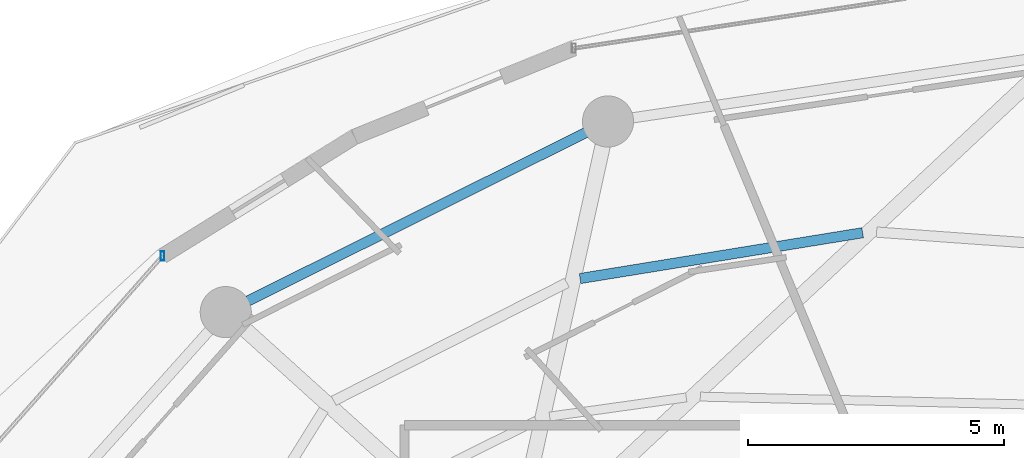
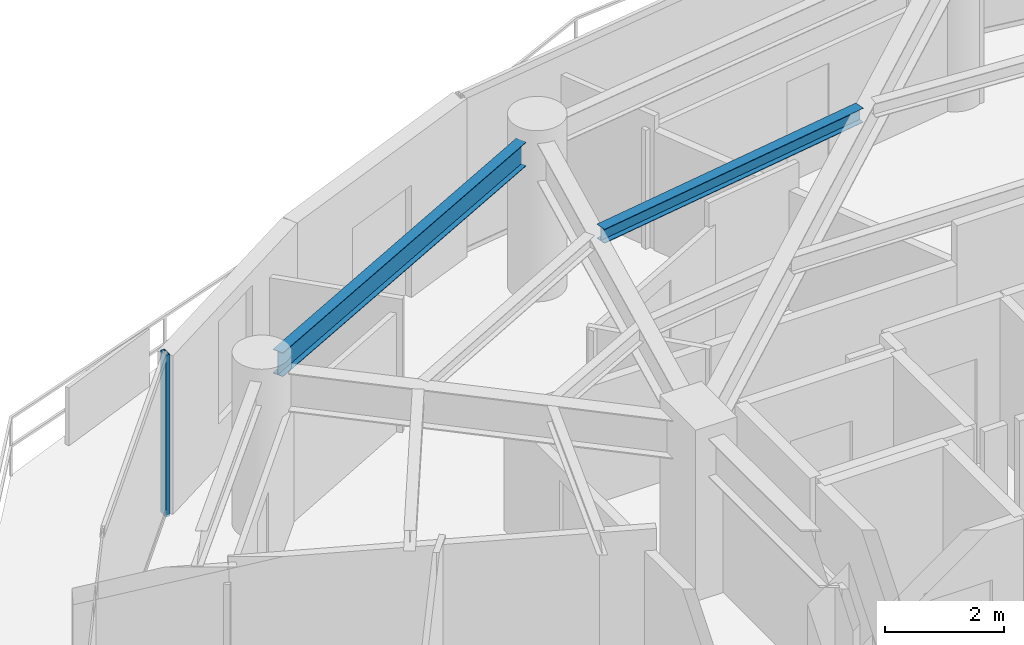
# One storey, part 16 of 29: 2 beams, 1 member, 1 element without a shape of its own.
"""IFC4 building model written with IfcOpenShell, lengths in metres."""

from ifc_helpers import new_model, si_unit, direction, frame, origin, origin_2d, place, context, subcontext, project, spatial, hollow_rectangle, i_section, extrude, material, material_profile, profile_set, type_object, element, aggregate, save


model = new_model("IFC4")

# Units and contexts
model_context = context("Model", 3, precision=1e-05, world=origin(), true_north=direction((0.0, 1.0)))
body_context = subcontext(model_context, "Body", "Model", "MODEL_VIEW")
ifc_project = project(units=[si_unit("LENGTHUNIT", "METRE"), si_unit("AREAUNIT", "SQUARE_METRE"), si_unit("VOLUMEUNIT", "CUBIC_METRE"), si_unit("PLANEANGLEUNIT", "RADIAN"), si_unit("MASSUNIT", "GRAM", prefix="KILO")], contexts=[model_context])

# Site, building, storey
site_placement = place(None, origin())
site = spatial("IfcSite", under=ifc_project, at=site_placement, CompositionType="ELEMENT")
building_placement = place(site_placement, origin())
building = spatial("IfcBuilding", under=site, at=building_placement, Name="Vorneva Point Tower", CompositionType="ELEMENT")
storey_placement = place(building_placement, frame((0.0, 0.0, 167.60009765625)))
storey = spatial("IfcBuildingStorey", under=building, at=storey_placement, Name="L45", CompositionType="ELEMENT", Elevation=167.60009765625)

# Beams
ifc_material_1 = material(Name="Steel S355", Category="steel")
ifc_material_profile_1 = material_profile(ifc_material_1, i_section(OverallWidth=0.199951171875, OverallDepth=0.291015625, WebThickness=0.008056640625, FlangeThickness=0.010986328125, at=origin_2d()), Name="30Sh1")
ifc_profile_set_1 = profile_set([ifc_material_profile_1], Name="Steel S355")
beam_type_1 = type_object("IfcBeamType", Name="BM-SEC-30Sh1", PredefinedType="BEAM", material=ifc_profile_set_1)
beam_1_placement = place(storey_placement, frame((34.159423828125, 39.714599609375, 3.094482421875), z_axis=(-0.987113669352, -0.160020635475, 0.0), x_axis=(0.160020635475, -0.987113669352, 0.0)))
element("IfcBeam", 1, at=beam_1_placement, inside=storey, type_object=beam_type_1, Name="L45 Secondary Floor Beam 1.05", PredefinedType="BEAM", context=body_context, shape_type="SweptSolid", body=[
    extrude(i_section(OverallWidth=0.199951171875, OverallDepth=0.291015625, WebThickness=0.008056640625, FlangeThickness=0.010986328125, at=origin_2d()), origin(), (0.0, 0.0, 1.0), 5.599365234375),
])
ifc_material_profile_2 = material_profile(ifc_material_1, i_section(OverallWidth=0.199951171875, OverallDepth=0.491943359375, WebThickness=0.0087890625, FlangeThickness=0.011962890625, at=origin_2d()), Name="50B1")
ifc_profile_set_2 = profile_set([ifc_material_profile_2], Name="Steel S355")
beam_type_2 = type_object("IfcBeamType", Name="BM-SPN-50B1", PredefinedType="SPANDREL", material=ifc_profile_set_2)
beam_2_placement = place(storey_placement, frame((28.7451171875, 41.67431640625, 2.993896484375), z_axis=(-0.894929061397, -0.446208443518, 0.0), x_axis=(0.446208443518, -0.894929061397, 0.0)))
element("IfcBeam", 2, at=beam_2_placement, inside=storey, type_object=beam_type_2, Name="L45 Perimeter Spandrel Ring Beam 06", PredefinedType="SPANDREL", context=body_context, shape_type="SweptSolid", body=[
    extrude(i_section(OverallWidth=0.199951171875, OverallDepth=0.491943359375, WebThickness=0.0087890625, FlangeThickness=0.011962890625, at=origin_2d()), origin(), (0.0, 0.0, 1.0), 7.385986328125),
])

# Curtain wall, member
ifc_material_2 = material(Name="Pale anodised aluminium", Category="aluminium")
curtain_wall_type = type_object("IfcCurtainWallType", Name="CW-RES-SYS", PredefinedType="NOTDEFINED", material=ifc_material_2)
curtain_wall_placement = place(storey_placement, origin())
curtain_wall = element("IfcCurtainWall", 3, at=curtain_wall_placement, inside=storey, type_object=curtain_wall_type, Name="L45 Unitised Curtain Wall CW-L45-R03", PredefinedType="NOTDEFINED")
ifc_material_profile_3 = material_profile(ifc_material_2, hollow_rectangle(XDim=0.074951171875, YDim=0.179931640625, WallThickness=0.00390625, at=origin_2d()), Name="AL-MUL 180x75x4")
ifc_profile_set_3 = profile_set([ifc_material_profile_3], Name="Pale anodised aluminium")
member_type = type_object("IfcMemberType", Name="CW-MUL-180", PredefinedType="MULLION", material=ifc_profile_set_3)
member_placement = place(storey_placement, frame((20.4638671875, 39.25830078125, -0.0400390625), z_axis=(0.0, 0.0, 1.0), x_axis=(1.0, 0.0, 0.0)))
member = element("IfcMember", 4, at=member_placement, type_object=member_type, Name="CW-L45-R03 Mullion 01", PredefinedType="MULLION", context=body_context, shape_type="SweptSolid", body=[
    extrude(hollow_rectangle(XDim=0.074951171875, YDim=0.179931640625, WallThickness=0.00390625, at=origin_2d()), origin(), (0.0, 0.0, 1.0), 3.31005859375),
])
aggregate(curtain_wall, [member])

save(model, "model.ifc")
